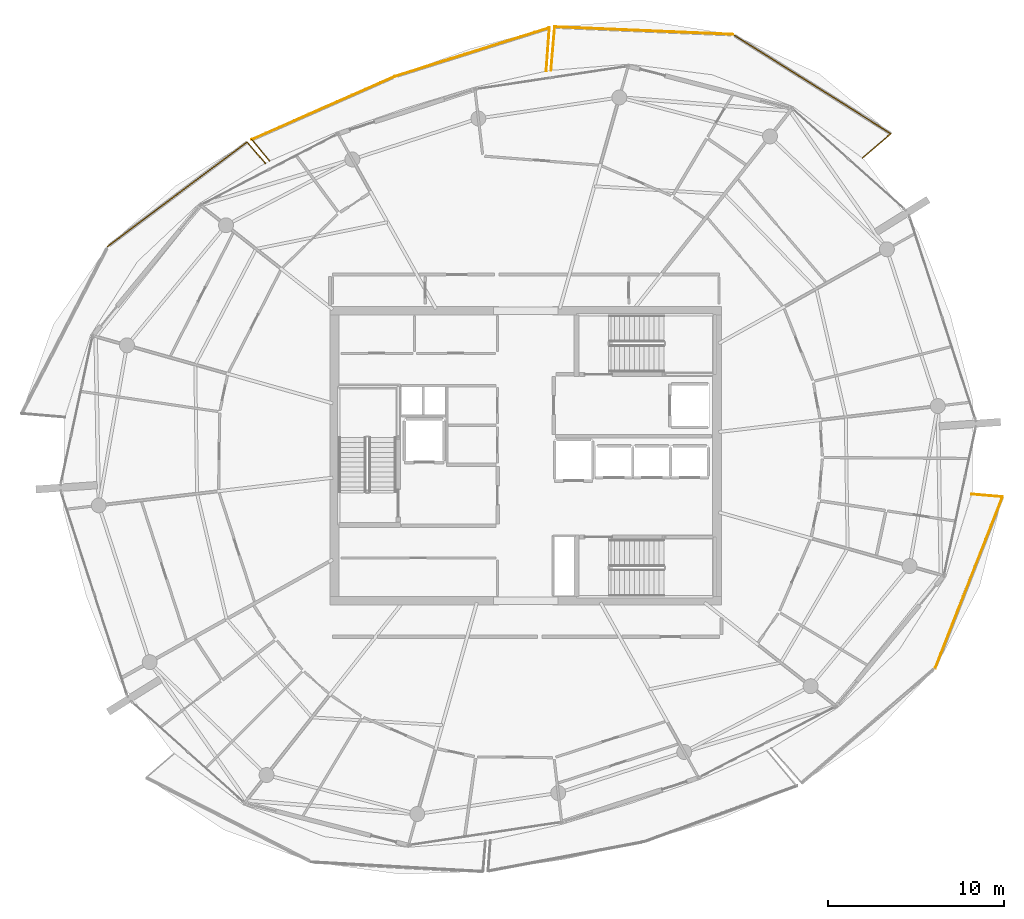
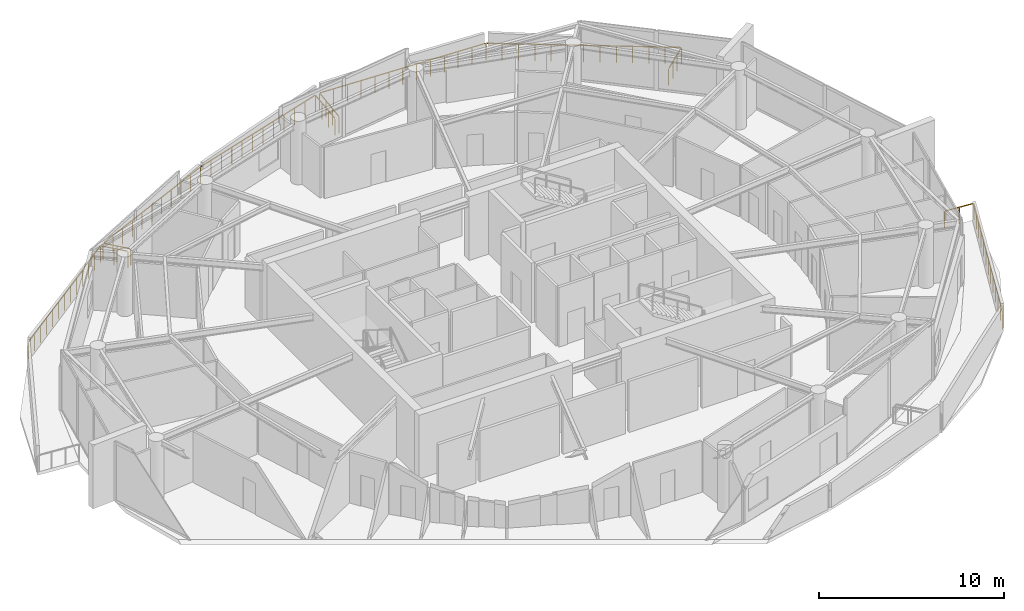
# One storey, part 20 of 20: 12 railings.
"""IFC4 building model written with IfcOpenShell, lengths in metres."""

from ifc_helpers import new_model, si_unit, direction, frame, origin, origin_2d, place, context, subcontext, project, spatial, rectangle, extrude, material, type_object, element, save


model = new_model("IFC4")

# Units and contexts
model_context = context("Model", 3, precision=1e-05, world=origin(), true_north=direction((0.0, 1.0)))
body_context = subcontext(model_context, "Body", "Model", "MODEL_VIEW")
ifc_project = project(units=[si_unit("LENGTHUNIT", "METRE"), si_unit("AREAUNIT", "SQUARE_METRE"), si_unit("VOLUMEUNIT", "CUBIC_METRE"), si_unit("PLANEANGLEUNIT", "RADIAN"), si_unit("MASSUNIT", "GRAM", prefix="KILO")], contexts=[model_context])

# Site, building, storey
site_placement = place(None, origin())
site = spatial("IfcSite", under=ifc_project, at=site_placement, CompositionType="ELEMENT")
building_placement = place(site_placement, origin())
building = spatial("IfcBuilding", under=site, at=building_placement, Name="Kazma Halo Residences", CompositionType="ELEMENT")
storey_placement = place(building_placement, frame((0.0, 0.0, 317.89990234375)))
storey = spatial("IfcBuildingStorey", under=building, at=storey_placement, Name="L80", CompositionType="ELEMENT", Elevation=317.89990234375)

# Railings
ifc_material = material(Name="Aluminium AW-6063 T6 Brushed Cap Rail", Category="aluminium")
railing_type = type_object("IfcRailingType", Name="RLG-BAL-CAP-1120", PredefinedType="BALUSTRADE", material=ifc_material)
railing_1_placement = place(storey_placement, frame((67.578369140625, 58.929443359375, 0.0)))
element("IfcRailing", 1, at=railing_1_placement, inside=storey, type_object=railing_type, Name="L80 NE wave balcony guard 1", PredefinedType="BALUSTRADE", context=body_context, shape_type="SweptSolid", body=[
    extrude(rectangle(XDim=0.050048828125, YDim=0.050048828125, at=origin_2d()), frame((0.0322265625, 0.02783203125, 1.09521484375), z_axis=(0.756446054748, 0.654056088005, 0.0), x_axis=(-0.654056088005, 0.756446054748, 0.0)), (0.0, 0.0, 1.0), 2.041748046875),
    extrude(rectangle(XDim=0.0400390625, YDim=0.0400390625, at=origin_2d()), origin(), (0.0, 0.0, 1.0), 1.05810546875),
    extrude(rectangle(XDim=0.0400390625, YDim=0.0400390625, at=origin_2d()), frame((0.536376953125, 0.463623046875, 0.0)), (0.0, 0.0, 1.0), 1.05810546875),
    extrude(rectangle(XDim=0.0400390625, YDim=0.0400390625, at=origin_2d()), frame((1.072509765625, 0.927490234375, 0.0)), (0.0, 0.0, 1.0), 1.05810546875),
    extrude(rectangle(XDim=0.0400390625, YDim=0.0400390625, at=origin_2d()), frame((1.60888671875, 1.39111328125, 0.0)), (0.0, 0.0, 1.0), 1.05810546875),
])
railing_2_placement = place(storey_placement, frame((69.187255859375, 60.320556640625, 0.0)))
element("IfcRailing", 2, at=railing_2_placement, inside=storey, type_object=railing_type, Name="L80 NE wave balcony guard 2", PredefinedType="BALUSTRADE", context=body_context, shape_type="SweptSolid", body=[
    extrude(rectangle(XDim=0.050048828125, YDim=0.050048828125, at=origin_2d()), frame((-0.0361328125, 0.022705078125, 1.09521484375), z_axis=(-0.846703529633, 0.53206497057, 0.0), x_axis=(-0.53206497057, -0.846703529633, 0.0)), (0.0, 0.0, 1.0), 10.51806640625),
    extrude(rectangle(XDim=0.0400390625, YDim=0.0400390625, at=origin_2d()), origin(), (0.0, 0.0, 1.0), 1.05810546875),
    extrude(rectangle(XDim=0.0400390625, YDim=0.0400390625, at=origin_2d()), frame((-0.748046875, 0.47021484375, 0.0)), (0.0, 0.0, 1.0), 1.05810546875),
    extrude(rectangle(XDim=0.0400390625, YDim=0.0400390625, at=origin_2d()), frame((-1.496337890625, 0.940185546875, 0.0)), (0.0, 0.0, 1.0), 1.05810546875),
    extrude(rectangle(XDim=0.0400390625, YDim=0.0400390625, at=origin_2d()), frame((-2.244384765625, 1.410400390625, 0.0)), (0.0, 0.0, 1.0), 1.05810546875),
    extrude(rectangle(XDim=0.0400390625, YDim=0.0400390625, at=origin_2d()), frame((-2.99267578125, 1.880615234375, 0.0)), (0.0, 0.0, 1.0), 1.05810546875),
    extrude(rectangle(XDim=0.0400390625, YDim=0.0400390625, at=origin_2d()), frame((-3.74072265625, 2.3505859375, 0.0)), (0.0, 0.0, 1.0), 1.05810546875),
    extrude(rectangle(XDim=0.0400390625, YDim=0.0400390625, at=origin_2d()), frame((-4.48876953125, 2.82080078125, 0.0)), (0.0, 0.0, 1.0), 1.05810546875),
    extrude(rectangle(XDim=0.0400390625, YDim=0.0400390625, at=origin_2d()), frame((-5.237060546875, 3.291015625, 0.0)), (0.0, 0.0, 1.0), 1.05810546875),
    extrude(rectangle(XDim=0.0400390625, YDim=0.0400390625, at=origin_2d()), frame((-5.985107421875, 3.760986328125, 0.0)), (0.0, 0.0, 1.0), 1.05810546875),
    extrude(rectangle(XDim=0.0400390625, YDim=0.0400390625, at=origin_2d()), frame((-6.7333984375, 4.231201171875, 0.0)), (0.0, 0.0, 1.0), 1.05810546875),
    extrude(rectangle(XDim=0.0400390625, YDim=0.0400390625, at=origin_2d()), frame((-7.4814453125, 4.701416015625, 0.0)), (0.0, 0.0, 1.0), 1.05810546875),
    extrude(rectangle(XDim=0.0400390625, YDim=0.0400390625, at=origin_2d()), frame((-8.229736328125, 5.17138671875, 0.0)), (0.0, 0.0, 1.0), 1.05810546875),
    extrude(rectangle(XDim=0.0400390625, YDim=0.0400390625, at=origin_2d()), frame((-8.977783203125, 5.6416015625, 0.0)), (0.0, 0.0, 1.0), 1.05810546875),
])
railing_3_placement = place(storey_placement, frame((60.20947265625, 65.962158203125, 0.0)))
element("IfcRailing", 3, at=railing_3_placement, inside=storey, type_object=railing_type, Name="L80 NE wave balcony guard 3", PredefinedType="BALUSTRADE", context=body_context, shape_type="SweptSolid", body=[
    extrude(rectangle(XDim=0.050048828125, YDim=0.050048828125, at=origin_2d()), frame((-0.04248046875, 0.001708984375, 1.09521484375), z_axis=(-0.999100291943, 0.042409982777, 0.0), x_axis=(-0.042409982777, -0.999100291943, 0.0)), (0.0, 0.0, 1.0), 10.06396484375),
    extrude(rectangle(XDim=0.0400390625, YDim=0.0400390625, at=origin_2d()), origin(), (0.0, 0.0, 1.0), 1.05810546875),
    extrude(rectangle(XDim=0.0400390625, YDim=0.0400390625, at=origin_2d()), frame((-0.844970703125, 0.035888671875, 0.0)), (0.0, 0.0, 1.0), 1.05810546875),
    extrude(rectangle(XDim=0.0400390625, YDim=0.0400390625, at=origin_2d()), frame((-1.68994140625, 0.07177734375, 0.0)), (0.0, 0.0, 1.0), 1.05810546875),
    extrude(rectangle(XDim=0.0400390625, YDim=0.0400390625, at=origin_2d()), frame((-2.534912109375, 0.107666015625, 0.0)), (0.0, 0.0, 1.0), 1.05810546875),
    extrude(rectangle(XDim=0.0400390625, YDim=0.0400390625, at=origin_2d()), frame((-3.3798828125, 0.1435546875, 0.0)), (0.0, 0.0, 1.0), 1.05810546875),
    extrude(rectangle(XDim=0.0400390625, YDim=0.0400390625, at=origin_2d()), frame((-4.224853515625, 0.179443359375, 0.0)), (0.0, 0.0, 1.0), 1.05810546875),
    extrude(rectangle(XDim=0.0400390625, YDim=0.0400390625, at=origin_2d()), frame((-5.06982421875, 0.21533203125, 0.0)), (0.0, 0.0, 1.0), 1.05810546875),
    extrude(rectangle(XDim=0.0400390625, YDim=0.0400390625, at=origin_2d()), frame((-5.9150390625, 0.2509765625, 0.0)), (0.0, 0.0, 1.0), 1.05810546875),
    extrude(rectangle(XDim=0.0400390625, YDim=0.0400390625, at=origin_2d()), frame((-6.760009765625, 0.286865234375, 0.0)), (0.0, 0.0, 1.0), 1.05810546875),
    extrude(rectangle(XDim=0.0400390625, YDim=0.0400390625, at=origin_2d()), frame((-7.60498046875, 0.32275390625, 0.0)), (0.0, 0.0, 1.0), 1.05810546875),
    extrude(rectangle(XDim=0.0400390625, YDim=0.0400390625, at=origin_2d()), frame((-8.449951171875, 0.358642578125, 0.0)), (0.0, 0.0, 1.0), 1.05810546875),
    extrude(rectangle(XDim=0.0400390625, YDim=0.0400390625, at=origin_2d()), frame((-9.294921875, 0.39453125, 0.0)), (0.0, 0.0, 1.0), 1.05810546875),
    extrude(rectangle(XDim=0.0400390625, YDim=0.0400390625, at=origin_2d()), frame((-10.139892578125, 0.430419921875, 0.0)), (0.0, 0.0, 1.0), 1.05810546875),
])
railing_4_placement = place(storey_placement, frame((50.069580078125, 66.392578125, 0.0)))
element("IfcRailing", 4, at=railing_4_placement, inside=storey, type_object=railing_type, Name="L80 NE wave balcony guard 4", PredefinedType="BALUSTRADE", context=body_context, shape_type="SweptSolid", body=[
    extrude(rectangle(XDim=0.050048828125, YDim=0.050048828125, at=origin_2d()), frame((-0.003662109375, -0.04248046875, 1.09521484375), z_axis=(-0.084469553555, -0.99642606074, 0.0), x_axis=(0.99642606074, -0.084469553555, 0.0)), (0.0, 0.0, 1.0), 2.397705078125),
    extrude(rectangle(XDim=0.0400390625, YDim=0.0400390625, at=origin_2d()), origin(), (0.0, 0.0, 1.0), 1.05810546875),
    extrude(rectangle(XDim=0.0400390625, YDim=0.0400390625, at=origin_2d()), frame((-0.06982421875, -0.82470703125, 0.0)), (0.0, 0.0, 1.0), 1.05810546875),
    extrude(rectangle(XDim=0.0400390625, YDim=0.0400390625, at=origin_2d()), frame((-0.139892578125, -1.649169921875, 0.0)), (0.0, 0.0, 1.0), 1.05810546875),
    extrude(rectangle(XDim=0.0400390625, YDim=0.0400390625, at=origin_2d()), frame((-0.209716796875, -2.473876953125, 0.0)), (0.0, 0.0, 1.0), 1.05810546875),
])
railing_5_placement = place(storey_placement, frame((49.58740234375, 63.8779296875, 0.0)))
element("IfcRailing", 5, at=railing_5_placement, inside=storey, type_object=railing_type, Name="L80 NNW wave balcony guard 1", PredefinedType="BALUSTRADE", context=body_context, shape_type="SweptSolid", body=[
    extrude(rectangle(XDim=0.050048828125, YDim=0.050048828125, at=origin_2d()), frame((0.003173828125, 0.04248046875, 1.09521484375), z_axis=(0.07239419398, 0.997376097908, 0.0), x_axis=(-0.997376097908, 0.07239419398, 0.0)), (0.0, 0.0, 1.0), 2.380126953125),
    extrude(rectangle(XDim=0.0400390625, YDim=0.0400390625, at=origin_2d()), origin(), (0.0, 0.0, 1.0), 1.05810546875),
    extrude(rectangle(XDim=0.0400390625, YDim=0.0400390625, at=origin_2d()), frame((0.0595703125, 0.819580078125, 0.0)), (0.0, 0.0, 1.0), 1.05810546875),
    extrude(rectangle(XDim=0.0400390625, YDim=0.0400390625, at=origin_2d()), frame((0.118896484375, 1.63916015625, 0.0)), (0.0, 0.0, 1.0), 1.05810546875),
    extrude(rectangle(XDim=0.0400390625, YDim=0.0400390625, at=origin_2d()), frame((0.178466796875, 2.458740234375, 0.0)), (0.0, 0.0, 1.0), 1.05810546875),
])
railing_6_placement = place(storey_placement, frame((49.765869140625, 66.336669921875, 0.0)))
element("IfcRailing", 6, at=railing_6_placement, inside=storey, type_object=railing_type, Name="L80 NNW wave balcony guard 2", PredefinedType="BALUSTRADE", context=body_context, shape_type="SweptSolid", body=[
    extrude(rectangle(XDim=0.050048828125, YDim=0.050048828125, at=origin_2d()), frame((-0.04052734375, -0.0126953125, 1.09521484375), z_axis=(-0.953975281727, -0.299885247811, 0.0), x_axis=(0.299885247811, -0.953975281727, 0.0)), (0.0, 0.0, 1.0), 9.115234375),
    extrude(rectangle(XDim=0.0400390625, YDim=0.0400390625, at=origin_2d()), origin(), (0.0, 0.0, 1.0), 1.05810546875),
    extrude(rectangle(XDim=0.0400390625, YDim=0.0400390625, at=origin_2d()), frame((-0.7978515625, -0.250732421875, 0.0)), (0.0, 0.0, 1.0), 1.05810546875),
    extrude(rectangle(XDim=0.0400390625, YDim=0.0400390625, at=origin_2d()), frame((-1.595703125, -0.501708984375, 0.0)), (0.0, 0.0, 1.0), 1.05810546875),
    extrude(rectangle(XDim=0.0400390625, YDim=0.0400390625, at=origin_2d()), frame((-2.393798828125, -0.75244140625, 0.0)), (0.0, 0.0, 1.0), 1.05810546875),
    extrude(rectangle(XDim=0.0400390625, YDim=0.0400390625, at=origin_2d()), frame((-3.191650390625, -1.003173828125, 0.0)), (0.0, 0.0, 1.0), 1.05810546875),
    extrude(rectangle(XDim=0.0400390625, YDim=0.0400390625, at=origin_2d()), frame((-3.989501953125, -1.254150390625, 0.0)), (0.0, 0.0, 1.0), 1.05810546875),
    extrude(rectangle(XDim=0.0400390625, YDim=0.0400390625, at=origin_2d()), frame((-4.787353515625, -1.5048828125, 0.0)), (0.0, 0.0, 1.0), 1.05810546875),
    extrude(rectangle(XDim=0.0400390625, YDim=0.0400390625, at=origin_2d()), frame((-5.585205078125, -1.755859375, 0.0)), (0.0, 0.0, 1.0), 1.05810546875),
    extrude(rectangle(XDim=0.0400390625, YDim=0.0400390625, at=origin_2d()), frame((-6.383056640625, -2.006591796875, 0.0)), (0.0, 0.0, 1.0), 1.05810546875),
    extrude(rectangle(XDim=0.0400390625, YDim=0.0400390625, at=origin_2d()), frame((-7.18115234375, -2.25732421875, 0.0)), (0.0, 0.0, 1.0), 1.05810546875),
    extrude(rectangle(XDim=0.0400390625, YDim=0.0400390625, at=origin_2d()), frame((-7.97900390625, -2.50830078125, 0.0)), (0.0, 0.0, 1.0), 1.05810546875),
    extrude(rectangle(XDim=0.0400390625, YDim=0.0400390625, at=origin_2d()), frame((-8.77685546875, -2.759033203125, 0.0)), (0.0, 0.0, 1.0), 1.05810546875),
])
railing_7_placement = place(storey_placement, frame((40.989013671875, 63.57763671875, 0.0)))
element("IfcRailing", 7, at=railing_7_placement, inside=storey, type_object=railing_type, Name="L80 NNW wave balcony guard 3", PredefinedType="BALUSTRADE", context=body_context, shape_type="SweptSolid", body=[
    extrude(rectangle(XDim=0.050048828125, YDim=0.050048828125, at=origin_2d()), frame((-0.038818359375, -0.01708984375, 1.09521484375), z_axis=(-0.914809479944, -0.403885646445, 0.0), x_axis=(0.403885646445, -0.914809479944, 0.0)), (0.0, 0.0, 1.0), 8.82861328125),
    extrude(rectangle(XDim=0.0400390625, YDim=0.0400390625, at=origin_2d()), origin(), (0.0, 0.0, 1.0), 1.05810546875),
    extrude(rectangle(XDim=0.0400390625, YDim=0.0400390625, at=origin_2d()), frame((-0.8154296875, -0.360107421875, 0.0)), (0.0, 0.0, 1.0), 1.05810546875),
    extrude(rectangle(XDim=0.0400390625, YDim=0.0400390625, at=origin_2d()), frame((-1.630859375, -0.719970703125, 0.0)), (0.0, 0.0, 1.0), 1.05810546875),
    extrude(rectangle(XDim=0.0400390625, YDim=0.0400390625, at=origin_2d()), frame((-2.4462890625, -1.080078125, 0.0)), (0.0, 0.0, 1.0), 1.05810546875),
    extrude(rectangle(XDim=0.0400390625, YDim=0.0400390625, at=origin_2d()), frame((-3.26171875, -1.43994140625, 0.0)), (0.0, 0.0, 1.0), 1.05810546875),
    extrude(rectangle(XDim=0.0400390625, YDim=0.0400390625, at=origin_2d()), frame((-4.0771484375, -1.800048828125, 0.0)), (0.0, 0.0, 1.0), 1.05810546875),
    extrude(rectangle(XDim=0.0400390625, YDim=0.0400390625, at=origin_2d()), frame((-4.892578125, -2.16015625, 0.0)), (0.0, 0.0, 1.0), 1.05810546875),
    extrude(rectangle(XDim=0.0400390625, YDim=0.0400390625, at=origin_2d()), frame((-5.7080078125, -2.52001953125, 0.0)), (0.0, 0.0, 1.0), 1.05810546875),
    extrude(rectangle(XDim=0.0400390625, YDim=0.0400390625, at=origin_2d()), frame((-6.5234375, -2.880126953125, 0.0)), (0.0, 0.0, 1.0), 1.05810546875),
    extrude(rectangle(XDim=0.0400390625, YDim=0.0400390625, at=origin_2d()), frame((-7.3388671875, -3.239990234375, 0.0)), (0.0, 0.0, 1.0), 1.05810546875),
    extrude(rectangle(XDim=0.0400390625, YDim=0.0400390625, at=origin_2d()), frame((-8.154296875, -3.60009765625, 0.0)), (0.0, 0.0, 1.0), 1.05810546875),
])
railing_8_placement = place(storey_placement, frame((32.834716796875, 59.9775390625, 0.0)))
element("IfcRailing", 8, at=railing_8_placement, inside=storey, type_object=railing_type, Name="L80 NNW wave balcony guard 4", PredefinedType="BALUSTRADE", context=body_context, shape_type="SweptSolid", body=[
    extrude(rectangle(XDim=0.050048828125, YDim=0.050048828125, at=origin_2d()), frame((0.02734375, -0.032470703125, 1.09521484375), z_axis=(0.644780914834, -0.764367432499, 0.0), x_axis=(0.764367432499, 0.644780914834, 0.0)), (0.0, 0.0, 1.0), 1.499267578125),
    extrude(rectangle(XDim=0.0400390625, YDim=0.0400390625, at=origin_2d()), origin(), (0.0, 0.0, 1.0), 1.05810546875),
    extrude(rectangle(XDim=0.0400390625, YDim=0.0400390625, at=origin_2d()), frame((0.5107421875, -0.60546875, 0.0)), (0.0, 0.0, 1.0), 1.05810546875),
    extrude(rectangle(XDim=0.0400390625, YDim=0.0400390625, at=origin_2d()), frame((1.021484375, -1.2109375, 0.0)), (0.0, 0.0, 1.0), 1.05810546875),
])
railing_9_placement = place(storey_placement, frame((33.61181640625, 58.639404296875, 0.0)))
element("IfcRailing", 9, at=railing_9_placement, inside=storey, type_object=railing_type, Name="L80 NW wave balcony guard 1", PredefinedType="BALUSTRADE", context=body_context, shape_type="SweptSolid", body=[
    extrude(rectangle(XDim=0.050048828125, YDim=0.050048828125, at=origin_2d()), frame((-0.02783203125, 0.0322265625, 1.09521484375), z_axis=(-0.653987942312, 0.756504971107, 0.0), x_axis=(-0.756504971107, -0.653987942312, 0.0)), (0.0, 0.0, 1.0), 1.50341796875),
    extrude(rectangle(XDim=0.0400390625, YDim=0.0400390625, at=origin_2d()), origin(), (0.0, 0.0, 1.0), 1.05810546875),
    extrude(rectangle(XDim=0.0400390625, YDim=0.0400390625, at=origin_2d()), frame((-0.51953125, 0.600830078125, 0.0)), (0.0, 0.0, 1.0), 1.05810546875),
    extrude(rectangle(XDim=0.0400390625, YDim=0.0400390625, at=origin_2d()), frame((-1.038818359375, 1.20166015625, 0.0)), (0.0, 0.0, 1.0), 1.05810546875),
])
railing_10_placement = place(storey_placement, frame((32.572998046875, 59.841064453125, 0.0)))
element("IfcRailing", 10, at=railing_10_placement, inside=storey, type_object=railing_type, Name="L80 NW wave balcony guard 2", PredefinedType="BALUSTRADE", context=body_context, shape_type="SweptSolid", body=[
    extrude(rectangle(XDim=0.050048828125, YDim=0.050048828125, at=origin_2d()), frame((-0.033935546875, -0.025390625, 1.09521484375), z_axis=(-0.800342873364, -0.599542563172, 0.0), x_axis=(0.599542563172, -0.800342873364, 0.0)), (0.0, 0.0, 1.0), 9.82275390625),
    extrude(rectangle(XDim=0.0400390625, YDim=0.0400390625, at=origin_2d()), origin(), (0.0, 0.0, 1.0), 1.05810546875),
    extrude(rectangle(XDim=0.0400390625, YDim=0.0400390625, at=origin_2d()), frame((-0.660888671875, -0.4951171875, 0.0)), (0.0, 0.0, 1.0), 1.05810546875),
    extrude(rectangle(XDim=0.0400390625, YDim=0.0400390625, at=origin_2d()), frame((-1.321533203125, -0.989990234375, 0.0)), (0.0, 0.0, 1.0), 1.05810546875),
    extrude(rectangle(XDim=0.0400390625, YDim=0.0400390625, at=origin_2d()), frame((-1.982421875, -1.485107421875, 0.0)), (0.0, 0.0, 1.0), 1.05810546875),
    extrude(rectangle(XDim=0.0400390625, YDim=0.0400390625, at=origin_2d()), frame((-2.643310546875, -1.97998046875, 0.0)), (0.0, 0.0, 1.0), 1.05810546875),
    extrude(rectangle(XDim=0.0400390625, YDim=0.0400390625, at=origin_2d()), frame((-3.303955078125, -2.47509765625, 0.0)), (0.0, 0.0, 1.0), 1.05810546875),
    extrude(rectangle(XDim=0.0400390625, YDim=0.0400390625, at=origin_2d()), frame((-3.96484375, -2.97021484375, 0.0)), (0.0, 0.0, 1.0), 1.05810546875),
    extrude(rectangle(XDim=0.0400390625, YDim=0.0400390625, at=origin_2d()), frame((-4.625732421875, -3.465087890625, 0.0)), (0.0, 0.0, 1.0), 1.05810546875),
    extrude(rectangle(XDim=0.0400390625, YDim=0.0400390625, at=origin_2d()), frame((-5.286376953125, -3.960205078125, 0.0)), (0.0, 0.0, 1.0), 1.05810546875),
    extrude(rectangle(XDim=0.0400390625, YDim=0.0400390625, at=origin_2d()), frame((-5.947265625, -4.455078125, 0.0)), (0.0, 0.0, 1.0), 1.05810546875),
    extrude(rectangle(XDim=0.0400390625, YDim=0.0400390625, at=origin_2d()), frame((-6.608154296875, -4.9501953125, 0.0)), (0.0, 0.0, 1.0), 1.05810546875),
    extrude(rectangle(XDim=0.0400390625, YDim=0.0400390625, at=origin_2d()), frame((-7.268798828125, -5.445068359375, 0.0)), (0.0, 0.0, 1.0), 1.05810546875),
    extrude(rectangle(XDim=0.0400390625, YDim=0.0400390625, at=origin_2d()), frame((-7.9296875, -5.940185546875, 0.0)), (0.0, 0.0, 1.0), 1.05810546875),
])
railing_11_placement = place(storey_placement, frame((71.71142578125, 29.91845703125, 0.0)))
element("IfcRailing", 11, at=railing_11_placement, inside=storey, type_object=railing_type, Name="L80 SE wave balcony guard 3", PredefinedType="BALUSTRADE", context=body_context, shape_type="SweptSolid", body=[
    extrude(rectangle(XDim=0.050048828125, YDim=0.050048828125, at=origin_2d()), frame((0.015625, 0.03955078125, 1.09521484375), z_axis=(0.365702873669, 0.930731652084, 0.0), x_axis=(-0.930731652084, 0.365702873669, 0.0)), (0.0, 0.0, 1.0), 10.384765625),
    extrude(rectangle(XDim=0.0400390625, YDim=0.0400390625, at=origin_2d()), origin(), (0.0, 0.0, 1.0), 1.05810546875),
    extrude(rectangle(XDim=0.0400390625, YDim=0.0400390625, at=origin_2d()), frame((0.319091796875, 0.81201171875, 0.0)), (0.0, 0.0, 1.0), 1.05810546875),
    extrude(rectangle(XDim=0.0400390625, YDim=0.0400390625, at=origin_2d()), frame((0.63818359375, 1.6240234375, 0.0)), (0.0, 0.0, 1.0), 1.05810546875),
    extrude(rectangle(XDim=0.0400390625, YDim=0.0400390625, at=origin_2d()), frame((0.957275390625, 2.43603515625, 0.0)), (0.0, 0.0, 1.0), 1.05810546875),
    extrude(rectangle(XDim=0.0400390625, YDim=0.0400390625, at=origin_2d()), frame((1.2763671875, 3.248291015625, 0.0)), (0.0, 0.0, 1.0), 1.05810546875),
    extrude(rectangle(XDim=0.0400390625, YDim=0.0400390625, at=origin_2d()), frame((1.595458984375, 4.060302734375, 0.0)), (0.0, 0.0, 1.0), 1.05810546875),
    extrude(rectangle(XDim=0.0400390625, YDim=0.0400390625, at=origin_2d()), frame((1.91455078125, 4.872314453125, 0.0)), (0.0, 0.0, 1.0), 1.05810546875),
    extrude(rectangle(XDim=0.0400390625, YDim=0.0400390625, at=origin_2d()), frame((2.2333984375, 5.684326171875, 0.0)), (0.0, 0.0, 1.0), 1.05810546875),
    extrude(rectangle(XDim=0.0400390625, YDim=0.0400390625, at=origin_2d()), frame((2.552490234375, 6.496337890625, 0.0)), (0.0, 0.0, 1.0), 1.05810546875),
    extrude(rectangle(XDim=0.0400390625, YDim=0.0400390625, at=origin_2d()), frame((2.87158203125, 7.30859375, 0.0)), (0.0, 0.0, 1.0), 1.05810546875),
    extrude(rectangle(XDim=0.0400390625, YDim=0.0400390625, at=origin_2d()), frame((3.190673828125, 8.12060546875, 0.0)), (0.0, 0.0, 1.0), 1.05810546875),
    extrude(rectangle(XDim=0.0400390625, YDim=0.0400390625, at=origin_2d()), frame((3.509765625, 8.9326171875, 0.0)), (0.0, 0.0, 1.0), 1.05810546875),
    extrude(rectangle(XDim=0.0400390625, YDim=0.0400390625, at=origin_2d()), frame((3.828857421875, 9.74462890625, 0.0)), (0.0, 0.0, 1.0), 1.05810546875),
])
railing_12_placement = place(storey_placement, frame((75.540283203125, 39.6630859375, 0.0)))
element("IfcRailing", 12, at=railing_12_placement, inside=storey, type_object=railing_type, Name="L80 SE wave balcony guard 4", PredefinedType="BALUSTRADE", context=body_context, shape_type="SweptSolid", body=[
    extrude(rectangle(XDim=0.050048828125, YDim=0.050048828125, at=origin_2d()), frame((-0.04248046875, 0.003662109375, 1.09521484375), z_axis=(-0.996411238041, 0.084644224294, 0.0), x_axis=(-0.084644224294, -0.996411238041, 0.0)), (0.0, 0.0, 1.0), 1.67138671875),
    extrude(rectangle(XDim=0.0400390625, YDim=0.0400390625, at=origin_2d()), origin(), (0.0, 0.0, 1.0), 1.05810546875),
    extrude(rectangle(XDim=0.0400390625, YDim=0.0400390625, at=origin_2d()), frame((-0.875, 0.07421875, 0.0)), (0.0, 0.0, 1.0), 1.05810546875),
    extrude(rectangle(XDim=0.0400390625, YDim=0.0400390625, at=origin_2d()), frame((-1.750244140625, 0.148681640625, 0.0)), (0.0, 0.0, 1.0), 1.05810546875),
])

save(model, "model.ifc")
